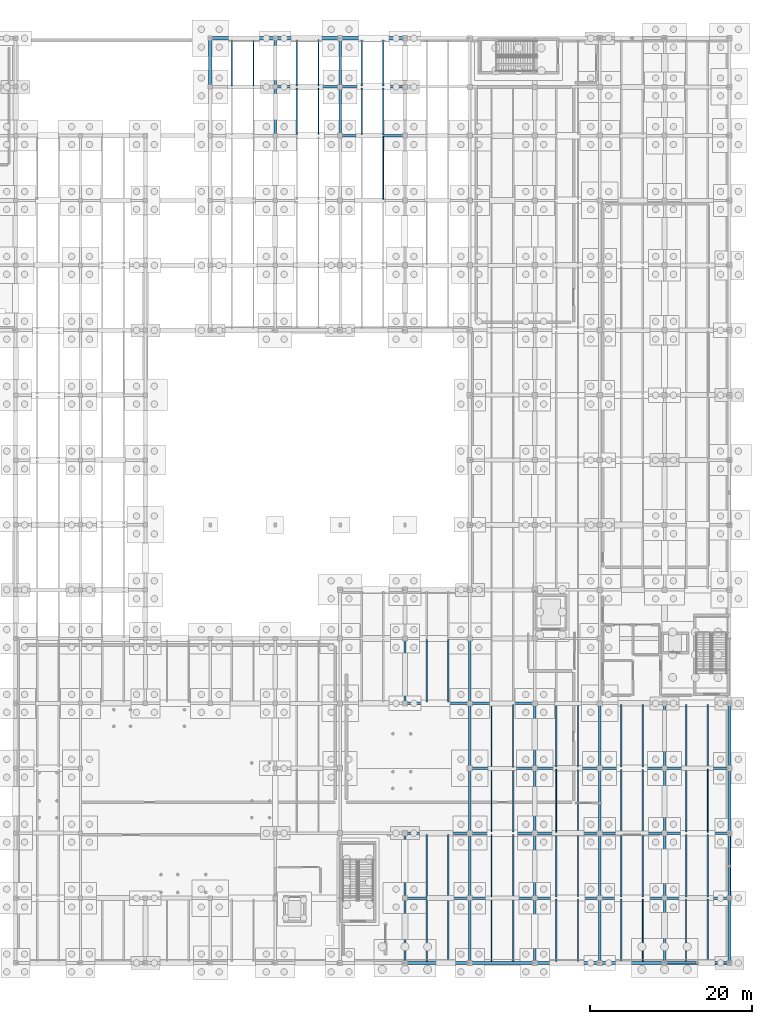
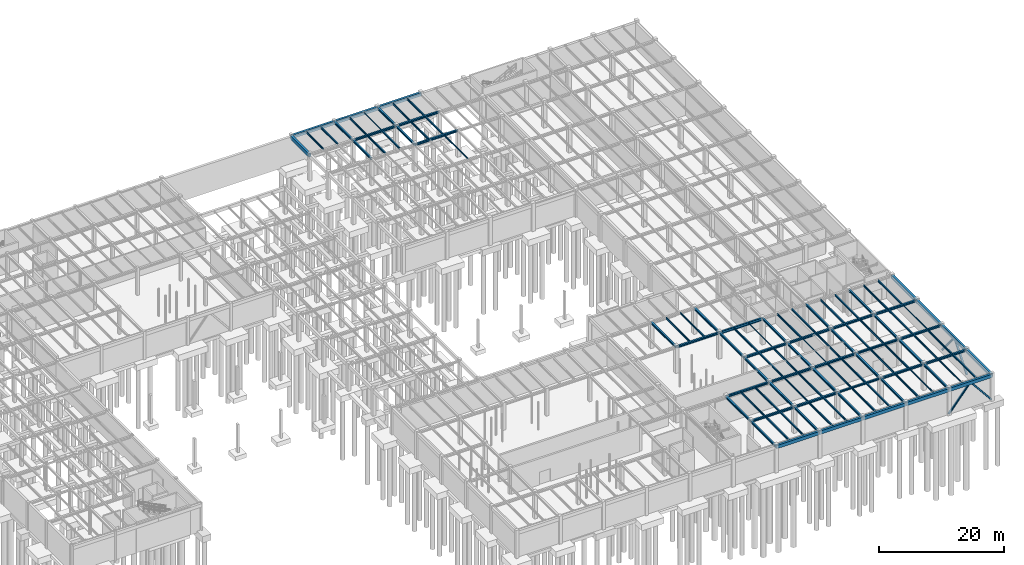
# One storey, part 28 of 71: 105 beams, 4 members.
"""IFC4 building model written with IfcOpenShell, lengths in metres."""

import ifcopenshell
import ifcopenshell.guid

model = None  # the IFC model being written
_history = None  # IfcOwnerHistory: only IFC2X3 demands one
_inside = {}  # id of a spatial element -> (the spatial element, [elements in it])
_under = {}  # id of a project, library or spatial element -> (it, [spatial elements below it])
_declared = {}  # id of a project -> (the project, [libraries it declares])
_typed = {}  # id of a type object -> (the type object, [elements of that type])
_made_of = {}  # id of a material, layer set ... -> (it, [elements and type objects made of it])


def new_model(schema):
    """Start an empty IFC model of exactly this schema.

    Asked for "IFC4X3", IfcOpenShell would pick the latest addendum, in which some entities
    have other attributes; the version numbers below select the first issue.
    IFC2X3 requires an IfcOwnerHistory on every rooted entity: one is made here for all.
    """
    global model, _history
    if schema == "IFC4X3":
        model = ifcopenshell.file(schema_version=(4, 3, 0, 0))
    else:
        model = ifcopenshell.file(schema=schema)
    _inside.clear()
    _under.clear()
    _declared.clear()
    _typed.clear()
    _made_of.clear()
    _history = None
    if model.schema == "IFC2X3":
        org = make("IfcOrganization", Name="unknown")
        user = make(
            "IfcPersonAndOrganization",
            ThePerson=make("IfcPerson", FamilyName="unknown"),
            TheOrganization=org,
        )
        app = make(
            "IfcApplication",
            ApplicationDeveloper=org,
            Version="unknown",
            ApplicationFullName="unknown",
            ApplicationIdentifier="unknown",
        )
        _history = make(
            "IfcOwnerHistory",
            OwningUser=user,
            OwningApplication=app,
            ChangeAction="ADDED",
            CreationDate=0,
        )
    return model


def make(cls, **values):
    """One entity of the class cls with the attributes given. An attribute that is None is left unset."""
    return model.create_entity(
        cls, **{name: value for name, value in values.items() if value is not None}
    )


def rooted(cls, **values):
    """An entity with a GlobalId (a new one), such as an element, a storey or a relation."""
    return make(cls, GlobalId=ifcopenshell.guid.new(), OwnerHistory=_history, **values)


def si_unit(unit_type, name, prefix=None):
    """IfcSIUnit, for example si_unit("LENGTHUNIT", "METRE", prefix="MILLI")."""
    return make("IfcSIUnit", UnitType=unit_type, Prefix=prefix, Name=name)


def assignment(units):
    """IfcUnitAssignment: the units of a project."""
    return None if units is None else make("IfcUnitAssignment", Units=units)


def point(xyz):
    """IfcCartesianPoint."""
    return None if xyz is None else make("IfcCartesianPoint", Coordinates=xyz)


def direction(xyz):
    """IfcDirection."""
    return None if xyz is None else make("IfcDirection", DirectionRatios=xyz)


def frame(location, z_axis=None, x_axis=None):
    """IfcAxis2Placement3D, a coordinate frame: its origin and axes. An axis left out is left unset."""
    return make(
        "IfcAxis2Placement3D",
        Location=point(location),
        Axis=direction(z_axis),
        RefDirection=direction(x_axis),
    )


def frame_2d(location, x_axis=None):
    """IfcAxis2Placement2D, a coordinate frame in the plane: its origin and x axis."""
    return make(
        "IfcAxis2Placement2D", Location=point(location), RefDirection=direction(x_axis)
    )


def origin():
    """The frame at (0, 0, 0) with its axes left unset."""
    return frame((0.0, 0.0, 0.0))


def origin_2d():
    """The frame at (0, 0) in the plane with its x axis left unset."""
    return frame_2d((0.0, 0.0))


def place(relative_to, where):
    """IfcLocalPlacement: puts the frame where relative to a parent placement (None: the world)."""
    return make(
        "IfcLocalPlacement", PlacementRelTo=relative_to, RelativePlacement=where
    )


def context(
    kind, dimensions, precision=None, world=None, true_north=None, identifier=None
):
    """IfcGeometricRepresentationContext, for example the 3D "Model" context."""
    return make(
        "IfcGeometricRepresentationContext",
        ContextIdentifier=identifier,
        ContextType=kind,
        CoordinateSpaceDimension=dimensions,
        Precision=precision,
        WorldCoordinateSystem=world,
        TrueNorth=true_north,
    )


def subcontext(parent, identifier, kind, view, scale=None):
    """IfcGeometricRepresentationSubContext, for example "Body" below "Model"."""
    return make(
        "IfcGeometricRepresentationSubContext",
        ContextIdentifier=identifier,
        ContextType=kind,
        ParentContext=parent,
        TargetScale=scale,
        TargetView=view,
    )


def project(units=None, contexts=None):
    """IfcProject with its units and contexts."""
    return rooted(
        "IfcProject",
        Name="project",
        RepresentationContexts=contexts,
        UnitsInContext=assignment(units),
    )


def spatial(cls, under=None, at=None, **own):
    """A site, building, storey or space (cls), placed at a placement, below another one or the project."""
    s = rooted(cls, ObjectPlacement=at, **own)
    if under is not None:
        _under.setdefault(under.id(), (under, []))[1].append(s)
    return s


def profile(cls, at=None, kind="AREA", **sizes):
    """A parametric profile (cls). Its sizes go by their IFC names, for example OverallWidth=200.0."""
    return make(cls, ProfileType=kind, Position=at, **sizes)


def rectangle(**sizes):
    """IfcRectangleProfileDef."""
    return profile("IfcRectangleProfileDef", **sizes)


def i_section(**sizes):
    """IfcIShapeProfileDef."""
    return profile("IfcIShapeProfileDef", **sizes)


def extrude(swept, where, along, depth):
    """IfcExtrudedAreaSolid: the profile swept, set in the frame where, extruded along a direction by depth."""
    return make(
        "IfcExtrudedAreaSolid",
        SweptArea=swept,
        Position=where,
        ExtrudedDirection=direction(along),
        Depth=depth,
    )


def shape(context_of_items, identifier, shape_type, items):
    """IfcShapeRepresentation: the items that make up one representation, for example the "Body"."""
    return make(
        "IfcShapeRepresentation",
        ContextOfItems=context_of_items,
        RepresentationIdentifier=identifier,
        RepresentationType=shape_type,
        Items=items,
    )


def material(Name=None, Category=None):
    """IfcMaterial."""
    return make("IfcMaterial", Name=Name, Category=Category)


def material_profile(
    of_material, cross_section, Name=None, Category=None, Priority=None
):
    """IfcMaterialProfile: a cross section and its material."""
    return make(
        "IfcMaterialProfile",
        Name=Name,
        Material=of_material,
        Profile=cross_section,
        Priority=Priority,
        Category=Category,
    )


def profile_set(profiles, Name=None, composite=None):
    """IfcMaterialProfileSet."""
    return make(
        "IfcMaterialProfileSet",
        Name=Name,
        MaterialProfiles=profiles,
        CompositeProfile=composite,
    )


def made_of(thing, what):
    """Note that an element or type object is made of a material, layer set ...; save() writes the relation."""
    if what is not None:
        _made_of.setdefault(what.id(), (what, []))[1].append(thing)
    return thing


def type_object(cls, material=None, **own):
    """A type object (cls), such as IfcWallType, which elements share."""
    return made_of(rooted(cls, **own), material)


def element(
    cls,
    number,
    at=None,
    inside=None,
    cuts=None,
    type_object=None,
    material=None,
    context=None,
    identifier="Body",
    shape_type=None,
    held_by="IfcProductDefinitionShape",
    body=None,
    shapes=None,
    **own,
):
    """One element of the class cls, such as IfcWall. Its Tag is "e" and its number.

    at: its placement. inside: the storey or other place that contains it. cuts: it is an
    opening in that element (IfcRelVoidsElement). A single representation is given by context,
    identifier, shape_type and body (its items); several are given by shapes. held_by: the class
    of the entity that holds the representations. save() writes the other relations.
    """
    e = rooted(cls, Tag="e%d" % number, ObjectPlacement=at, **own)
    if body is not None:
        shapes = [shape(context, identifier, shape_type, body)]
    if shapes is not None:
        e.Representation = make(held_by, Representations=shapes)
    if inside is not None:
        _inside.setdefault(inside.id(), (inside, []))[1].append(e)
    if cuts is not None:
        rooted(
            "IfcRelVoidsElement", RelatingBuildingElement=cuts, RelatedOpeningElement=e
        )
    if type_object is not None:
        _typed.setdefault(type_object.id(), (type_object, []))[1].append(e)
    return made_of(e, material)


def aggregate(whole, parts):
    """IfcRelAggregates: a whole, such as a stair, and the parts it consists of."""
    return rooted("IfcRelAggregates", RelatingObject=whole, RelatedObjects=parts)


def save(model, path):
    """Write the relations noted so far, then the file.

    IfcRelAggregates (storeys below a building ...), IfcRelContainedInSpatialStructure (elements
    in a storey), IfcRelDefinesByType, IfcRelAssociatesMaterial and IfcRelDeclares: one each for
    every whole, place, type object, material and project.
    """
    for whole, parts in _under.values():
        aggregate(whole, parts)
    for where, things in _inside.values():
        rooted(
            "IfcRelContainedInSpatialStructure",
            RelatedElements=things,
            RelatingStructure=where,
        )
    for kind, things in _typed.values():
        rooted("IfcRelDefinesByType", RelatedObjects=things, RelatingType=kind)
    for what, things in _made_of.values():
        rooted("IfcRelAssociatesMaterial", RelatedObjects=things, RelatingMaterial=what)
    for by, libraries in _declared.values():
        rooted("IfcRelDeclares", RelatingContext=by, RelatedDefinitions=libraries)
    model.write(path)


model = new_model("IFC4")

# Units and contexts
model_context = context("Model", 3, precision=1e-05, world=origin(), true_north=direction((0.0, 1.0)))
body_context = subcontext(model_context, "Body", "Model", "MODEL_VIEW")
ifc_project = project(units=[si_unit("LENGTHUNIT", "METRE"), si_unit("AREAUNIT", "SQUARE_METRE"), si_unit("VOLUMEUNIT", "CUBIC_METRE"), si_unit("PLANEANGLEUNIT", "RADIAN"), si_unit("MASSUNIT", "GRAM", prefix="KILO")], contexts=[model_context])

# Site, building, storey
site_placement = place(None, origin())
site = spatial("IfcSite", under=ifc_project, at=site_placement, CompositionType="ELEMENT")
building_placement = place(site_placement, origin())
building = spatial("IfcBuilding", under=site, at=building_placement, Name="Sundkrona Museum", CompositionType="ELEMENT")
storey_placement = place(building_placement, frame((0.0, 0.0, -5.39990234375)))
storey = spatial("IfcBuildingStorey", under=building, at=storey_placement, Name="B1", CompositionType="ELEMENT", Elevation=-5.39990234375)

# Beams
ifc_material_1 = material(Name="Steel S355J2", Category="steel")
ifc_material_profile_1 = material_profile(ifc_material_1, i_section(OverallWidth=0.300048828125, OverallDepth=0.300048828125, WebThickness=0.010986328125, FlangeThickness=0.01904296875, FilletRadius=0.027099609375, at=origin_2d()), Name="HEB 300")
ifc_profile_set_1 = profile_set([ifc_material_profile_1], Name="Steel S355J2")
beam_type_1 = type_object("IfcBeamType", Name="B-HEB300", PredefinedType="BEAM", material=ifc_profile_set_1)
beam_1_placement = place(storey_placement, frame((144.0, 8.0, 4.969970703125), z_axis=(1.0, 0.0, 0.0), x_axis=(0.0, 1.0, 0.0)))
element("IfcBeam", 1, at=beam_1_placement, inside=storey, type_object=beam_type_1, Name="B1 Girder X-0018", PredefinedType="BEAM", context=body_context, shape_type="SweptSolid", body=[
    extrude(i_section(OverallWidth=0.300048828125, OverallDepth=0.300048828125, WebThickness=0.010986328125, FlangeThickness=0.01904296875, FilletRadius=0.027099609375, at=origin_2d()), origin(), (0.0, 0.0, 1.0), 8.0),
])
ifc_material_profile_2 = material_profile(ifc_material_1, i_section(OverallWidth=0.300048828125, OverallDepth=0.360107421875, WebThickness=0.012451171875, FlangeThickness=0.0224609375, FilletRadius=0.027099609375, at=origin_2d()), Name="HEB 360")
ifc_profile_set_2 = profile_set([ifc_material_profile_2], Name="Steel S355J2")
beam_type_2 = type_object("IfcBeamType", Name="B-HEB360", PredefinedType="BEAM", material=ifc_profile_set_2)
beam_2_placement = place(storey_placement, frame((152.0, 16.0, 4.93994140625), z_axis=(1.0, 0.0, 0.0), x_axis=(0.0, 1.0, 0.0)))
element("IfcBeam", 2, at=beam_2_placement, inside=storey, type_object=beam_type_2, Name="B1 Girder X-0027", PredefinedType="BEAM", context=body_context, shape_type="SweptSolid", body=[
    extrude(i_section(OverallWidth=0.300048828125, OverallDepth=0.360107421875, WebThickness=0.012451171875, FlangeThickness=0.0224609375, FilletRadius=0.027099609375, at=origin_2d()), origin(), (0.0, 0.0, 1.0), 8.0),
])
ifc_material_profile_3 = material_profile(ifc_material_1, i_section(OverallWidth=0.300048828125, OverallDepth=0.39990234375, WebThickness=0.013427734375, FlangeThickness=0.02392578125, FilletRadius=0.027099609375, at=origin_2d()), Name="HEB 400")
ifc_profile_set_3 = profile_set([ifc_material_profile_3], Name="Steel S355J2")
beam_type_3 = type_object("IfcBeamType", Name="B-HEB400", PredefinedType="BEAM", material=ifc_profile_set_3)
for number, where, z_axis, x_axis, name in (
    (3, (128.0, 8.0, 4.919921875), (1.0, 0.0, 0.0), (0.0, 1.0, 0.0), "B1 Girder X-0016"),
    (4, (136.0, 8.0, 4.919921875), (1.0, 0.0, 0.0), (0.0, 1.0, 0.0), "B1 Girder X-0017"),
    (5, (152.0, 8.0, 4.919921875), (1.0, 0.0, 0.0), (0.0, 1.0, 0.0), "B1 Girder X-0019"),
    (6, (160.0, 8.0, 4.919921875), (1.0, 0.0, 0.0), (0.0, 1.0, 0.0), "B1 Girder X-0020"),
    (7, (128.0, 16.0, 4.919921875), (1.0, 0.0, 0.0), (0.0, 1.0, 0.0), "B1 Girder X-0024"),
    (8, (136.0, 16.0, 4.919921875), (1.0, 0.0, 0.0), (0.0, 1.0, 0.0), "B1 Girder X-0025"),
    (9, (144.0, 16.0, 4.919921875), (1.0, 0.0, 0.0), (0.0, 1.0, 0.0), "B1 Girder X-0026"),
    (10, (160.0, 16.0, 4.919921875), (1.0, 0.0, 0.0), (0.0, 1.0, 0.0), "B1 Girder X-0028"),
    (11, (136.0, 24.0, 4.919921875), (1.0, 0.0, 0.0), (0.0, 1.0, 0.0), "B1 Girder X-0031"),
    (12, (144.0, 24.0, 4.919921875), (1.0, 0.0, 0.0), (0.0, 1.0, 0.0), "B1 Girder X-0032"),
    (13, (152.0, 24.0, 4.919921875), (1.0, 0.0, 0.0), (0.0, 1.0, 0.0), "B1 Girder X-0033"),
    (14, (160.0, 24.0, 4.919921875), (1.0, 0.0, 0.0), (0.0, 1.0, 0.0), "B1 Girder X-0034"),
    (15, (128.0, 32.0, 4.919921875), (1.0, 0.0, 0.0), (0.0, 1.0, 0.0), "B1 Girder X-0044"),
    (16, (120.0, 102.0, 4.919921875), (1.0, 0.0, 0.0), (0.0, 1.0, 0.0), "B1 Girder X-0169"),
    (17, (112.0, 108.0, 4.919921875), (1.0, 0.0, 0.0), (0.0, 1.0, 0.0), "B1 Girder X-0186"),
    (18, (120.0, 108.0, 4.919921875), (1.0, 0.0, 0.0), (0.0, 1.0, 0.0), "B1 Girder X-0187"),
):
    element("IfcBeam", number, at=place(storey_placement, frame(where, z_axis=z_axis, x_axis=x_axis)), inside=storey, type_object=beam_type_3, Name=name, PredefinedType="BEAM", context=body_context, shape_type="SweptSolid", body=[
        extrude(i_section(OverallWidth=0.300048828125, OverallDepth=0.39990234375, WebThickness=0.013427734375, FlangeThickness=0.02392578125, FilletRadius=0.027099609375, at=origin_2d()), origin(), (0.0, 0.0, 1.0), 8.0),
    ])
for number, where, z_axis, x_axis, name in (
    (19, (112.0, 102.0, 4.919921875), (0.0, 1.0, 0.0), (-1.0, 0.0, 0.0), "B1 Girder Y-0329"),
    (20, (112.0, 108.0, 4.919921875), (0.0, 1.0, 0.0), (-1.0, 0.0, 0.0), "B1 Girder Y-0330"),
    (21, (120.0, 102.0, 4.919921875), (0.0, 1.0, 0.0), (-1.0, 0.0, 0.0), "B1 Girder Y-0340"),
    (22, (120.0, 108.0, 4.919921875), (0.0, 1.0, 0.0), (-1.0, 0.0, 0.0), "B1 Girder Y-0341"),
):
    element("IfcBeam", number, at=place(storey_placement, frame(where, z_axis=z_axis, x_axis=x_axis)), inside=storey, type_object=beam_type_3, Name=name, PredefinedType="BEAM", context=body_context, shape_type="SweptSolid", body=[
        extrude(i_section(OverallWidth=0.300048828125, OverallDepth=0.39990234375, WebThickness=0.013427734375, FlangeThickness=0.02392578125, FilletRadius=0.027099609375, at=origin_2d()), origin(), (0.0, 0.0, 1.0), 6.0),
    ])
for number, where, z_axis, x_axis, name in (
    (23, (128.0, 0.0, 4.919921875), (0.0, 1.0, 0.0), (-1.0, 0.0, 0.0), "B1 Girder Y-0342"),
    (24, (128.0, 8.0, 4.919921875), (0.0, 1.0, 0.0), (-1.0, 0.0, 0.0), "B1 Girder Y-0343"),
    (25, (128.0, 32.0, 4.919921875), (0.0, 1.0, 0.0), (-1.0, 0.0, 0.0), "B1 Girder Y-0344"),
    (26, (136.0, 0.0, 4.919921875), (0.0, 1.0, 0.0), (-1.0, 0.0, 0.0), "B1 Girder Y-0351"),
    (27, (136.0, 8.0, 4.919921875), (0.0, 1.0, 0.0), (-1.0, 0.0, 0.0), "B1 Girder Y-0352"),
    (28, (136.0, 16.0, 4.919921875), (0.0, 1.0, 0.0), (-1.0, 0.0, 0.0), "B1 Girder Y-0353"),
    (29, (136.0, 24.0, 4.919921875), (0.0, 1.0, 0.0), (-1.0, 0.0, 0.0), "B1 Girder Y-0354"),
    (30, (136.0, 32.0, 4.919921875), (0.0, 1.0, 0.0), (-1.0, 0.0, 0.0), "B1 Girder Y-0355"),
    (31, (144.0, 0.0, 4.919921875), (0.0, 1.0, 0.0), (-1.0, 0.0, 0.0), "B1 Girder Y-0366"),
    (32, (144.0, 8.0, 4.919921875), (0.0, 1.0, 0.0), (-1.0, 0.0, 0.0), "B1 Girder Y-0367"),
    (33, (144.0, 16.0, 4.919921875), (0.0, 1.0, 0.0), (-1.0, 0.0, 0.0), "B1 Girder Y-0368"),
    (34, (144.0, 24.0, 4.919921875), (0.0, 1.0, 0.0), (-1.0, 0.0, 0.0), "B1 Girder Y-0369"),
    (35, (152.0, 0.0, 4.919921875), (0.0, 1.0, 0.0), (-1.0, 0.0, 0.0), "B1 Girder Y-0380"),
    (36, (152.0, 8.0, 4.919921875), (0.0, 1.0, 0.0), (-1.0, 0.0, 0.0), "B1 Girder Y-0381"),
    (37, (152.0, 16.0, 4.919921875), (0.0, 1.0, 0.0), (-1.0, 0.0, 0.0), "B1 Girder Y-0382"),
    (38, (152.0, 24.0, 4.919921875), (0.0, 1.0, 0.0), (-1.0, 0.0, 0.0), "B1 Girder Y-0383"),
    (39, (160.0, 0.0, 4.919921875), (0.0, 1.0, 0.0), (-1.0, 0.0, 0.0), "B1 Girder Y-0395"),
    (40, (160.0, 8.0, 4.919921875), (0.0, 1.0, 0.0), (-1.0, 0.0, 0.0), "B1 Girder Y-0396"),
    (41, (160.0, 16.0, 4.919921875), (0.0, 1.0, 0.0), (-1.0, 0.0, 0.0), "B1 Girder Y-0397"),
    (42, (160.0, 24.0, 4.919921875), (0.0, 1.0, 0.0), (-1.0, 0.0, 0.0), "B1 Girder Y-0398"),
):
    element("IfcBeam", number, at=place(storey_placement, frame(where, z_axis=z_axis, x_axis=x_axis)), inside=storey, type_object=beam_type_3, Name=name, PredefinedType="BEAM", context=body_context, shape_type="SweptSolid", body=[
        extrude(i_section(OverallWidth=0.300048828125, OverallDepth=0.39990234375, WebThickness=0.013427734375, FlangeThickness=0.02392578125, FilletRadius=0.027099609375, at=origin_2d()), origin(), (0.0, 0.0, 1.0), 8.0),
    ])
ifc_material_profile_4 = material_profile(ifc_material_1, i_section(OverallWidth=0.300048828125, OverallDepth=0.5, WebThickness=0.014404296875, FlangeThickness=0.028076171875, FilletRadius=0.027099609375, at=origin_2d()), Name="HEB 500")
ifc_profile_set_4 = profile_set([ifc_material_profile_4], Name="Steel S355J2")
beam_type_4 = type_object("IfcBeamType", Name="B-HEB500", PredefinedType="BEAM", material=ifc_profile_set_4)
beam_3_placement = place(storey_placement, frame((136.0, 32.0, 4.869873046875), z_axis=(1.0, 0.0, 0.0), x_axis=(0.0, 1.0, 0.0)))
element("IfcBeam", 43, at=beam_3_placement, inside=storey, type_object=beam_type_4, Name="B1 Girder X-0045", PredefinedType="BEAM", context=body_context, shape_type="SweptSolid", body=[
    extrude(i_section(OverallWidth=0.300048828125, OverallDepth=0.5, WebThickness=0.014404296875, FlangeThickness=0.028076171875, FilletRadius=0.027099609375, at=origin_2d()), origin(), (0.0, 0.0, 1.0), 8.0),
])
ifc_material_2 = material(Name="Concrete C40/50", Category="concrete")
ifc_material_profile_5 = material_profile(ifc_material_2, rectangle(XDim=0.39990234375, YDim=0.64990234375, at=origin_2d()), Name="RCB 400x650")
ifc_profile_set_5 = profile_set([ifc_material_profile_5], Name="Concrete C40/50")
beam_type_5 = type_object("IfcBeamType", Name="B-RC400", PredefinedType="BEAM", material=ifc_profile_set_5)
for number, where, z_axis, x_axis, name in (
    (44, (128.0, 0.0, 4.794921875), (1.0, 0.0, 0.0), (0.0, 1.0, 0.0), "B1 Girder X-0007"),
    (45, (136.0, 0.0, 4.794921875), (1.0, 0.0, 0.0), (0.0, 1.0, 0.0), "B1 Girder X-0008"),
    (46, (144.0, 0.0, 4.794921875), (1.0, 0.0, 0.0), (0.0, 1.0, 0.0), "B1 Girder X-0009"),
    (47, (152.0, 0.0, 4.794921875), (1.0, 0.0, 0.0), (0.0, 1.0, 0.0), "B1 Girder X-0010"),
    (48, (160.0, 0.0, 4.794921875), (1.0, 0.0, 0.0), (0.0, 1.0, 0.0), "B1 Girder X-0011"),
    (49, (104.0, 114.0, 4.794921875), (1.0, 0.0, 0.0), (0.0, 1.0, 0.0), "B1 Girder X-0203"),
    (50, (112.0, 114.0, 4.794921875), (1.0, 0.0, 0.0), (0.0, 1.0, 0.0), "B1 Girder X-0204"),
    (51, (120.0, 114.0, 4.794921875), (1.0, 0.0, 0.0), (0.0, 1.0, 0.0), "B1 Girder X-0205"),
):
    element("IfcBeam", number, at=place(storey_placement, frame(where, z_axis=z_axis, x_axis=x_axis)), inside=storey, type_object=beam_type_5, Name=name, PredefinedType="BEAM", context=body_context, shape_type="SweptSolid", body=[
        extrude(rectangle(XDim=0.39990234375, YDim=0.64990234375, at=origin_2d()), origin(), (0.0, 0.0, 1.0), 8.0),
    ])
beam_4_placement = place(storey_placement, frame((104.0, 108.0, 4.794921875), z_axis=(0.0, 1.0, 0.0), x_axis=(-1.0, 0.0, 0.0)))
element("IfcBeam", 52, at=beam_4_placement, inside=storey, type_object=beam_type_5, Name="B1 Girder Y-0320", PredefinedType="BEAM", context=body_context, shape_type="SweptSolid", body=[
    extrude(rectangle(XDim=0.39990234375, YDim=0.64990234375, at=origin_2d()), origin(), (0.0, 0.0, 1.0), 6.0),
])
for number, where, z_axis, x_axis, name in (
    (53, (168.0, 0.0, 4.794921875), (0.0, 1.0, 0.0), (-1.0, 0.0, 0.0), "B1 Girder Y-0408"),
    (54, (168.0, 8.0, 4.794921875), (0.0, 1.0, 0.0), (-1.0, 0.0, 0.0), "B1 Girder Y-0409"),
    (55, (168.0, 16.0, 4.794921875), (0.0, 1.0, 0.0), (-1.0, 0.0, 0.0), "B1 Girder Y-0410"),
    (56, (168.0, 24.0, 4.794921875), (0.0, 1.0, 0.0), (-1.0, 0.0, 0.0), "B1 Girder Y-0411"),
):
    element("IfcBeam", number, at=place(storey_placement, frame(where, z_axis=z_axis, x_axis=x_axis)), inside=storey, type_object=beam_type_5, Name=name, PredefinedType="BEAM", context=body_context, shape_type="SweptSolid", body=[
        extrude(rectangle(XDim=0.39990234375, YDim=0.64990234375, at=origin_2d()), origin(), (0.0, 0.0, 1.0), 8.0),
    ])

# Members
ifc_material_profile_6 = material_profile(ifc_material_1, i_section(OverallWidth=0.300048828125, OverallDepth=0.2900390625, WebThickness=0.008544921875, FlangeThickness=0.013916015625, FilletRadius=0.027099609375, at=origin_2d()), Name="HEA 300")
ifc_profile_set_6 = profile_set([ifc_material_profile_6], Name="Steel S355J2")
member_type = type_object("IfcMemberType", Name="BR-HEA300", PredefinedType="BRACE", material=ifc_profile_set_6)
for number, where, z_axis, x_axis, name in (
    (57, (160.0, 0.0, 0.0), (0.632384053133, 0.0, 0.774655026024), (0.0, 1.0, 0.0), "CBR-1 B1 Concentric Chevron Brace 001A"),
    (58, (168.0, 0.0, 0.0), (-0.632384053133, 0.0, 0.774655026024), (0.0, -1.0, 0.0), "CBR-1 B1 Concentric Chevron Brace 001B"),
    (59, (168.0, 8.0, 0.0), (0.0, 0.632384053133, 0.774655026024), (-1.0, 0.0, 0.0), "CBR-1 B1 Concentric Chevron Brace 007A"),
    (60, (168.0, 16.0, 0.0), (0.0, -0.632384053133, 0.774655026024), (1.0, 0.0, 0.0), "CBR-1 B1 Concentric Chevron Brace 007B"),
):
    element("IfcMember", number, at=place(storey_placement, frame(where, z_axis=z_axis, x_axis=x_axis)), inside=storey, type_object=member_type, Name=name, PredefinedType="BRACE", context=body_context, shape_type="SweptSolid", body=[
        extrude(i_section(OverallWidth=0.300048828125, OverallDepth=0.2900390625, WebThickness=0.008544921875, FlangeThickness=0.013916015625, FilletRadius=0.027099609375, at=origin_2d()), origin(), (0.0, 0.0, 1.0), 6.3251953125),
    ])

# Beams
ifc_material_profile_7 = material_profile(ifc_material_1, i_section(OverallWidth=0.091064453125, OverallDepth=0.179931640625, WebThickness=0.00537109375, FlangeThickness=0.008056640625, FilletRadius=0.009033203125, at=origin_2d()), Name="IPE 180")
ifc_profile_set_7 = profile_set([ifc_material_profile_7], Name="Steel S355J2")
beam_type_6 = type_object("IfcBeamType", Name="J-IPE180", PredefinedType="JOIST", material=ifc_profile_set_7)
beam_5_placement = place(storey_placement, frame((117.333251953125, 108.14404296875, 5.02978515625), z_axis=(0.0, 1.0, 0.0), x_axis=(-1.0, 0.0, 0.0)))
element("IfcBeam", 61, at=beam_5_placement, inside=storey, type_object=beam_type_6, Name="B1 Composite Joist 0175", PredefinedType="JOIST", context=body_context, shape_type="SweptSolid", body=[
    extrude(i_section(OverallWidth=0.091064453125, OverallDepth=0.179931640625, WebThickness=0.00537109375, FlangeThickness=0.008056640625, FilletRadius=0.009033203125, at=origin_2d()), origin(), (0.0, 0.0, 1.0), 5.661865234375),
])
for number, where, z_axis, x_axis, name in (
    (62, (141.333251953125, 24.14404296875, 5.02978515625), (0.0, 1.0, 0.0), (-1.0, 0.0, 0.0), "B1 Composite Joist 0215"),
    (63, (165.333251953125, 16.14404296875, 5.02978515625), (0.0, 1.0, 0.0), (-1.0, 0.0, 0.0), "B1 Composite Joist 0295"),
):
    element("IfcBeam", number, at=place(storey_placement, frame(where, z_axis=z_axis, x_axis=x_axis)), inside=storey, type_object=beam_type_6, Name=name, PredefinedType="JOIST", context=body_context, shape_type="SweptSolid", body=[
        extrude(i_section(OverallWidth=0.091064453125, OverallDepth=0.179931640625, WebThickness=0.00537109375, FlangeThickness=0.008056640625, FilletRadius=0.009033203125, at=origin_2d()), origin(), (0.0, 0.0, 1.0), 7.7119140625),
    ])
ifc_material_profile_8 = material_profile(ifc_material_1, i_section(OverallWidth=0.10009765625, OverallDepth=0.199951171875, WebThickness=0.005615234375, FlangeThickness=0.008544921875, FilletRadius=0.011962890625, at=origin_2d()), Name="IPE 200")
ifc_profile_set_8 = profile_set([ifc_material_profile_8], Name="Steel S355J2")
beam_type_7 = type_object("IfcBeamType", Name="J-IPE200", PredefinedType="JOIST", material=ifc_profile_set_8)
beam_6_placement = place(storey_placement, frame((146.666748046875, 16.14404296875, 5.02001953125), z_axis=(0.0, 1.0, 0.0), x_axis=(-1.0, 0.0, 0.0)))
element("IfcBeam", 64, at=beam_6_placement, inside=storey, type_object=beam_type_7, Name="B1 Composite Joist 0240", PredefinedType="JOIST", context=body_context, shape_type="SweptSolid", body=[
    extrude(i_section(OverallWidth=0.10009765625, OverallDepth=0.199951171875, WebThickness=0.005615234375, FlangeThickness=0.008544921875, FilletRadius=0.011962890625, at=origin_2d()), origin(), (0.0, 0.0, 1.0), 7.7119140625),
])
ifc_material_profile_9 = material_profile(ifc_material_1, i_section(OverallWidth=0.1201171875, OverallDepth=0.239990234375, WebThickness=0.006103515625, FlangeThickness=0.009765625, FilletRadius=0.014892578125, at=origin_2d()), Name="IPE 240")
ifc_profile_set_9 = profile_set([ifc_material_profile_9], Name="Steel S355J2")
beam_type_8 = type_object("IfcBeamType", Name="J-IPE240", PredefinedType="JOIST", material=ifc_profile_set_9)
beam_7_placement = place(storey_placement, frame((125.333251953125, 94.14404296875, 5.0), z_axis=(0.0, 1.0, 0.0), x_axis=(-1.0, 0.0, 0.0)))
element("IfcBeam", 65, at=beam_7_placement, inside=storey, type_object=beam_type_8, Name="B1 Composite Joist 0185", PredefinedType="JOIST", context=body_context, shape_type="SweptSolid", body=[
    extrude(i_section(OverallWidth=0.1201171875, OverallDepth=0.239990234375, WebThickness=0.006103515625, FlangeThickness=0.009765625, FilletRadius=0.014892578125, at=origin_2d()), origin(), (0.0, 0.0, 1.0), 7.7119140625),
])
beam_8_placement = place(storey_placement, frame((157.333251953125, 0.194091796875, 5.0), z_axis=(0.0, 1.0, 0.0), x_axis=(-1.0, 0.0, 0.0)))
element("IfcBeam", 66, at=beam_8_placement, inside=storey, type_object=beam_type_8, Name="B1 Composite Joist 0265", PredefinedType="JOIST", context=body_context, shape_type="SweptSolid", body=[
    extrude(i_section(OverallWidth=0.1201171875, OverallDepth=0.239990234375, WebThickness=0.006103515625, FlangeThickness=0.009765625, FilletRadius=0.014892578125, at=origin_2d()), origin(), (0.0, 0.0, 1.0), 7.661865234375),
])
ifc_material_profile_10 = material_profile(ifc_material_1, i_section(OverallWidth=0.135009765625, OverallDepth=0.27001953125, WebThickness=0.006591796875, FlangeThickness=0.01025390625, FilletRadius=0.014892578125, at=origin_2d()), Name="IPE 270")
ifc_profile_set_10 = profile_set([ifc_material_profile_10], Name="Steel S355J2")
beam_type_9 = type_object("IfcBeamType", Name="J-IPE270", PredefinedType="JOIST", material=ifc_profile_set_10)
beam_9_placement = place(storey_placement, frame((138.666748046875, 8.14404296875, 4.98486328125), z_axis=(0.0, 1.0, 0.0), x_axis=(-1.0, 0.0, 0.0)))
element("IfcBeam", 67, at=beam_9_placement, inside=storey, type_object=beam_type_9, Name="B1 Composite Joist 0210", PredefinedType="JOIST", context=body_context, shape_type="SweptSolid", body=[
    extrude(i_section(OverallWidth=0.135009765625, OverallDepth=0.27001953125, WebThickness=0.006591796875, FlangeThickness=0.01025390625, FilletRadius=0.014892578125, at=origin_2d()), origin(), (0.0, 0.0, 1.0), 7.7119140625),
])
beam_10_placement = place(storey_placement, frame((162.666748046875, 0.194091796875, 4.98486328125), z_axis=(0.0, 1.0, 0.0), x_axis=(-1.0, 0.0, 0.0)))
element("IfcBeam", 68, at=beam_10_placement, inside=storey, type_object=beam_type_9, Name="B1 Composite Joist 0290", PredefinedType="JOIST", context=body_context, shape_type="SweptSolid", body=[
    extrude(i_section(OverallWidth=0.135009765625, OverallDepth=0.27001953125, WebThickness=0.006591796875, FlangeThickness=0.01025390625, FilletRadius=0.014892578125, at=origin_2d()), origin(), (0.0, 0.0, 1.0), 7.661865234375),
])
ifc_material_profile_11 = material_profile(ifc_material_1, i_section(OverallWidth=0.14990234375, OverallDepth=0.300048828125, WebThickness=0.007080078125, FlangeThickness=0.0107421875, FilletRadius=0.014892578125, at=origin_2d()), Name="IPE 300")
ifc_profile_set_11 = profile_set([ifc_material_profile_11], Name="Steel S355J2")
beam_type_10 = type_object("IfcBeamType", Name="J-IPE300", PredefinedType="JOIST", material=ifc_profile_set_11)
beam_11_placement = place(storey_placement, frame((133.333251953125, 32.14404296875, 4.969970703125), z_axis=(0.0, 1.0, 0.0), x_axis=(-1.0, 0.0, 0.0)))
element("IfcBeam", 69, at=beam_11_placement, inside=storey, type_object=beam_type_10, Name="B1 Composite Joist 0195", PredefinedType="JOIST", context=body_context, shape_type="SweptSolid", body=[
    extrude(i_section(OverallWidth=0.14990234375, OverallDepth=0.300048828125, WebThickness=0.007080078125, FlangeThickness=0.0107421875, FilletRadius=0.014892578125, at=origin_2d()), origin(), (0.0, 0.0, 1.0), 7.7119140625),
])
ifc_material_profile_12 = material_profile(ifc_material_1, i_section(OverallWidth=0.169921875, OverallDepth=0.360107421875, WebThickness=0.008056640625, FlangeThickness=0.0126953125, FilletRadius=0.01806640625, at=origin_2d()), Name="IPE 360")
ifc_profile_set_12 = profile_set([ifc_material_profile_12], Name="Steel S355J2")
beam_type_11 = type_object("IfcBeamType", Name="J-IPE360", PredefinedType="JOIST", material=ifc_profile_set_12)
for number, where, z_axis, x_axis, name in (
    (70, (106.666748046875, 108.14404296875, 4.93994140625), (0.0, 1.0, 0.0), (-1.0, 0.0, 0.0), "B1 Composite Joist 0158"),
    (71, (109.333251953125, 108.14404296875, 4.93994140625), (0.0, 1.0, 0.0), (-1.0, 0.0, 0.0), "B1 Composite Joist 0159"),
):
    element("IfcBeam", number, at=place(storey_placement, frame(where, z_axis=z_axis, x_axis=x_axis)), inside=storey, type_object=beam_type_11, Name=name, PredefinedType="JOIST", context=body_context, shape_type="SweptSolid", body=[
        extrude(i_section(OverallWidth=0.169921875, OverallDepth=0.360107421875, WebThickness=0.008056640625, FlangeThickness=0.0126953125, FilletRadius=0.01806640625, at=origin_2d()), origin(), (0.0, 0.0, 1.0), 5.661865234375),
    ])
for number, where, z_axis, x_axis, name in (
    (72, (114.666748046875, 102.14404296875, 4.93994140625), (0.0, 1.0, 0.0), (-1.0, 0.0, 0.0), "B1 Composite Joist 0172"),
    (73, (117.333251953125, 102.14404296875, 4.93994140625), (0.0, 1.0, 0.0), (-1.0, 0.0, 0.0), "B1 Composite Joist 0173"),
):
    element("IfcBeam", number, at=place(storey_placement, frame(where, z_axis=z_axis, x_axis=x_axis)), inside=storey, type_object=beam_type_11, Name=name, PredefinedType="JOIST", context=body_context, shape_type="SweptSolid", body=[
        extrude(i_section(OverallWidth=0.169921875, OverallDepth=0.360107421875, WebThickness=0.008056640625, FlangeThickness=0.0126953125, FilletRadius=0.01806640625, at=origin_2d()), origin(), (0.0, 0.0, 1.0), 5.7119140625),
    ])
beam_12_placement = place(storey_placement, frame((114.666748046875, 108.14404296875, 4.93994140625), z_axis=(0.0, 1.0, 0.0), x_axis=(-1.0, 0.0, 0.0)))
element("IfcBeam", 74, at=beam_12_placement, inside=storey, type_object=beam_type_11, Name="B1 Composite Joist 0174", PredefinedType="JOIST", context=body_context, shape_type="SweptSolid", body=[
    extrude(i_section(OverallWidth=0.169921875, OverallDepth=0.360107421875, WebThickness=0.008056640625, FlangeThickness=0.0126953125, FilletRadius=0.01806640625, at=origin_2d()), origin(), (0.0, 0.0, 1.0), 5.661865234375),
])
for number, where, z_axis, x_axis, name in (
    (75, (122.666748046875, 102.14404296875, 4.93994140625), (0.0, 1.0, 0.0), (-1.0, 0.0, 0.0), "B1 Composite Joist 0186"),
    (76, (125.333251953125, 102.14404296875, 4.93994140625), (0.0, 1.0, 0.0), (-1.0, 0.0, 0.0), "B1 Composite Joist 0187"),
):
    element("IfcBeam", number, at=place(storey_placement, frame(where, z_axis=z_axis, x_axis=x_axis)), inside=storey, type_object=beam_type_11, Name=name, PredefinedType="JOIST", context=body_context, shape_type="SweptSolid", body=[
        extrude(i_section(OverallWidth=0.169921875, OverallDepth=0.360107421875, WebThickness=0.008056640625, FlangeThickness=0.0126953125, FilletRadius=0.01806640625, at=origin_2d()), origin(), (0.0, 0.0, 1.0), 5.7119140625),
    ])
for number, where, z_axis, x_axis, name in (
    (77, (122.666748046875, 108.14404296875, 4.93994140625), (0.0, 1.0, 0.0), (-1.0, 0.0, 0.0), "B1 Composite Joist 0188"),
    (78, (125.333251953125, 108.14404296875, 4.93994140625), (0.0, 1.0, 0.0), (-1.0, 0.0, 0.0), "B1 Composite Joist 0189"),
):
    element("IfcBeam", number, at=place(storey_placement, frame(where, z_axis=z_axis, x_axis=x_axis)), inside=storey, type_object=beam_type_11, Name=name, PredefinedType="JOIST", context=body_context, shape_type="SweptSolid", body=[
        extrude(i_section(OverallWidth=0.169921875, OverallDepth=0.360107421875, WebThickness=0.008056640625, FlangeThickness=0.0126953125, FilletRadius=0.01806640625, at=origin_2d()), origin(), (0.0, 0.0, 1.0), 5.661865234375),
    ])
beam_13_placement = place(storey_placement, frame((133.333251953125, 0.194091796875, 4.93994140625), z_axis=(0.0, 1.0, 0.0), x_axis=(-1.0, 0.0, 0.0)))
element("IfcBeam", 79, at=beam_13_placement, inside=storey, type_object=beam_type_11, Name="B1 Composite Joist 0191", PredefinedType="JOIST", context=body_context, shape_type="SweptSolid", body=[
    extrude(i_section(OverallWidth=0.169921875, OverallDepth=0.360107421875, WebThickness=0.008056640625, FlangeThickness=0.0126953125, FilletRadius=0.01806640625, at=origin_2d()), origin(), (0.0, 0.0, 1.0), 7.661865234375),
])
for number, where, z_axis, x_axis, name in (
    (80, (130.666748046875, 8.14404296875, 4.93994140625), (0.0, 1.0, 0.0), (-1.0, 0.0, 0.0), "B1 Composite Joist 0192"),
    (81, (133.333251953125, 8.14404296875, 4.93994140625), (0.0, 1.0, 0.0), (-1.0, 0.0, 0.0), "B1 Composite Joist 0193"),
    (82, (130.666748046875, 32.14404296875, 4.93994140625), (0.0, 1.0, 0.0), (-1.0, 0.0, 0.0), "B1 Composite Joist 0194"),
):
    element("IfcBeam", number, at=place(storey_placement, frame(where, z_axis=z_axis, x_axis=x_axis)), inside=storey, type_object=beam_type_11, Name=name, PredefinedType="JOIST", context=body_context, shape_type="SweptSolid", body=[
        extrude(i_section(OverallWidth=0.169921875, OverallDepth=0.360107421875, WebThickness=0.008056640625, FlangeThickness=0.0126953125, FilletRadius=0.01806640625, at=origin_2d()), origin(), (0.0, 0.0, 1.0), 7.7119140625),
    ])
for number, where, z_axis, x_axis, name in (
    (83, (138.666748046875, 0.194091796875, 4.93994140625), (0.0, 1.0, 0.0), (-1.0, 0.0, 0.0), "B1 Composite Joist 0208"),
    (84, (141.333251953125, 0.194091796875, 4.93994140625), (0.0, 1.0, 0.0), (-1.0, 0.0, 0.0), "B1 Composite Joist 0209"),
):
    element("IfcBeam", number, at=place(storey_placement, frame(where, z_axis=z_axis, x_axis=x_axis)), inside=storey, type_object=beam_type_11, Name=name, PredefinedType="JOIST", context=body_context, shape_type="SweptSolid", body=[
        extrude(i_section(OverallWidth=0.169921875, OverallDepth=0.360107421875, WebThickness=0.008056640625, FlangeThickness=0.0126953125, FilletRadius=0.01806640625, at=origin_2d()), origin(), (0.0, 0.0, 1.0), 7.661865234375),
    ])
for number, where, z_axis, x_axis, name in (
    (85, (141.333251953125, 8.14404296875, 4.93994140625), (0.0, 1.0, 0.0), (-1.0, 0.0, 0.0), "B1 Composite Joist 0211"),
    (86, (138.666748046875, 16.14404296875, 4.93994140625), (0.0, 1.0, 0.0), (-1.0, 0.0, 0.0), "B1 Composite Joist 0212"),
    (87, (141.333251953125, 16.14404296875, 4.93994140625), (0.0, 1.0, 0.0), (-1.0, 0.0, 0.0), "B1 Composite Joist 0213"),
    (88, (138.666748046875, 24.14404296875, 4.93994140625), (0.0, 1.0, 0.0), (-1.0, 0.0, 0.0), "B1 Composite Joist 0214"),
):
    element("IfcBeam", number, at=place(storey_placement, frame(where, z_axis=z_axis, x_axis=x_axis)), inside=storey, type_object=beam_type_11, Name=name, PredefinedType="JOIST", context=body_context, shape_type="SweptSolid", body=[
        extrude(i_section(OverallWidth=0.169921875, OverallDepth=0.360107421875, WebThickness=0.008056640625, FlangeThickness=0.0126953125, FilletRadius=0.01806640625, at=origin_2d()), origin(), (0.0, 0.0, 1.0), 7.7119140625),
    ])
for number, where, z_axis, x_axis, name in (
    (89, (146.666748046875, 0.194091796875, 4.93994140625), (0.0, 1.0, 0.0), (-1.0, 0.0, 0.0), "B1 Composite Joist 0236"),
    (90, (149.333251953125, 0.194091796875, 4.93994140625), (0.0, 1.0, 0.0), (-1.0, 0.0, 0.0), "B1 Composite Joist 0237"),
):
    element("IfcBeam", number, at=place(storey_placement, frame(where, z_axis=z_axis, x_axis=x_axis)), inside=storey, type_object=beam_type_11, Name=name, PredefinedType="JOIST", context=body_context, shape_type="SweptSolid", body=[
        extrude(i_section(OverallWidth=0.169921875, OverallDepth=0.360107421875, WebThickness=0.008056640625, FlangeThickness=0.0126953125, FilletRadius=0.01806640625, at=origin_2d()), origin(), (0.0, 0.0, 1.0), 7.661865234375),
    ])
for number, where, z_axis, x_axis, name in (
    (91, (146.666748046875, 8.14404296875, 4.93994140625), (0.0, 1.0, 0.0), (-1.0, 0.0, 0.0), "B1 Composite Joist 0238"),
    (92, (149.333251953125, 8.14404296875, 4.93994140625), (0.0, 1.0, 0.0), (-1.0, 0.0, 0.0), "B1 Composite Joist 0239"),
    (93, (149.333251953125, 16.14404296875, 4.93994140625), (0.0, 1.0, 0.0), (-1.0, 0.0, 0.0), "B1 Composite Joist 0241"),
    (94, (146.666748046875, 24.14404296875, 4.93994140625), (0.0, 1.0, 0.0), (-1.0, 0.0, 0.0), "B1 Composite Joist 0242"),
    (95, (149.333251953125, 24.14404296875, 4.93994140625), (0.0, 1.0, 0.0), (-1.0, 0.0, 0.0), "B1 Composite Joist 0243"),
):
    element("IfcBeam", number, at=place(storey_placement, frame(where, z_axis=z_axis, x_axis=x_axis)), inside=storey, type_object=beam_type_11, Name=name, PredefinedType="JOIST", context=body_context, shape_type="SweptSolid", body=[
        extrude(i_section(OverallWidth=0.169921875, OverallDepth=0.360107421875, WebThickness=0.008056640625, FlangeThickness=0.0126953125, FilletRadius=0.01806640625, at=origin_2d()), origin(), (0.0, 0.0, 1.0), 7.7119140625),
    ])
beam_14_placement = place(storey_placement, frame((154.666748046875, 0.194091796875, 4.93994140625), z_axis=(0.0, 1.0, 0.0), x_axis=(-1.0, 0.0, 0.0)))
element("IfcBeam", 96, at=beam_14_placement, inside=storey, type_object=beam_type_11, Name="B1 Composite Joist 0264", PredefinedType="JOIST", context=body_context, shape_type="SweptSolid", body=[
    extrude(i_section(OverallWidth=0.169921875, OverallDepth=0.360107421875, WebThickness=0.008056640625, FlangeThickness=0.0126953125, FilletRadius=0.01806640625, at=origin_2d()), origin(), (0.0, 0.0, 1.0), 7.661865234375),
])
for number, where, z_axis, x_axis, name in (
    (97, (154.666748046875, 8.14404296875, 4.93994140625), (0.0, 1.0, 0.0), (-1.0, 0.0, 0.0), "B1 Composite Joist 0266"),
    (98, (157.333251953125, 8.14404296875, 4.93994140625), (0.0, 1.0, 0.0), (-1.0, 0.0, 0.0), "B1 Composite Joist 0267"),
    (99, (154.666748046875, 16.14404296875, 4.93994140625), (0.0, 1.0, 0.0), (-1.0, 0.0, 0.0), "B1 Composite Joist 0268"),
    (100, (157.333251953125, 16.14404296875, 4.93994140625), (0.0, 1.0, 0.0), (-1.0, 0.0, 0.0), "B1 Composite Joist 0269"),
    (101, (157.333251953125, 24.14404296875, 4.93994140625), (0.0, 1.0, 0.0), (-1.0, 0.0, 0.0), "B1 Composite Joist 0271"),
):
    element("IfcBeam", number, at=place(storey_placement, frame(where, z_axis=z_axis, x_axis=x_axis)), inside=storey, type_object=beam_type_11, Name=name, PredefinedType="JOIST", context=body_context, shape_type="SweptSolid", body=[
        extrude(i_section(OverallWidth=0.169921875, OverallDepth=0.360107421875, WebThickness=0.008056640625, FlangeThickness=0.0126953125, FilletRadius=0.01806640625, at=origin_2d()), origin(), (0.0, 0.0, 1.0), 7.7119140625),
    ])
beam_15_placement = place(storey_placement, frame((165.333251953125, 0.194091796875, 4.93994140625), z_axis=(0.0, 1.0, 0.0), x_axis=(-1.0, 0.0, 0.0)))
element("IfcBeam", 102, at=beam_15_placement, inside=storey, type_object=beam_type_11, Name="B1 Composite Joist 0291", PredefinedType="JOIST", context=body_context, shape_type="SweptSolid", body=[
    extrude(i_section(OverallWidth=0.169921875, OverallDepth=0.360107421875, WebThickness=0.008056640625, FlangeThickness=0.0126953125, FilletRadius=0.01806640625, at=origin_2d()), origin(), (0.0, 0.0, 1.0), 7.661865234375),
])
for number, where, z_axis, x_axis, name in (
    (103, (162.666748046875, 8.14404296875, 4.93994140625), (0.0, 1.0, 0.0), (-1.0, 0.0, 0.0), "B1 Composite Joist 0292"),
    (104, (165.333251953125, 8.14404296875, 4.93994140625), (0.0, 1.0, 0.0), (-1.0, 0.0, 0.0), "B1 Composite Joist 0293"),
    (105, (162.666748046875, 16.14404296875, 4.93994140625), (0.0, 1.0, 0.0), (-1.0, 0.0, 0.0), "B1 Composite Joist 0294"),
    (106, (162.666748046875, 24.14404296875, 4.93994140625), (0.0, 1.0, 0.0), (-1.0, 0.0, 0.0), "B1 Composite Joist 0296"),
    (107, (165.333251953125, 24.14404296875, 4.93994140625), (0.0, 1.0, 0.0), (-1.0, 0.0, 0.0), "B1 Composite Joist 0297"),
):
    element("IfcBeam", number, at=place(storey_placement, frame(where, z_axis=z_axis, x_axis=x_axis)), inside=storey, type_object=beam_type_11, Name=name, PredefinedType="JOIST", context=body_context, shape_type="SweptSolid", body=[
        extrude(i_section(OverallWidth=0.169921875, OverallDepth=0.360107421875, WebThickness=0.008056640625, FlangeThickness=0.0126953125, FilletRadius=0.01806640625, at=origin_2d()), origin(), (0.0, 0.0, 1.0), 7.7119140625),
    ])
ifc_material_profile_13 = material_profile(ifc_material_1, i_section(OverallWidth=0.179931640625, OverallDepth=0.39990234375, WebThickness=0.008544921875, FlangeThickness=0.013427734375, FilletRadius=0.02099609375, at=origin_2d()), Name="IPE 400")
ifc_profile_set_13 = profile_set([ifc_material_profile_13], Name="Steel S355J2")
beam_type_12 = type_object("IfcBeamType", Name="J-IPE400", PredefinedType="JOIST", material=ifc_profile_set_13)
beam_16_placement = place(storey_placement, frame((130.666748046875, 0.194091796875, 4.919921875), z_axis=(0.0, 1.0, 0.0), x_axis=(-1.0, 0.0, 0.0)))
element("IfcBeam", 108, at=beam_16_placement, inside=storey, type_object=beam_type_12, Name="B1 Composite Joist 0190", PredefinedType="JOIST", context=body_context, shape_type="SweptSolid", body=[
    extrude(i_section(OverallWidth=0.179931640625, OverallDepth=0.39990234375, WebThickness=0.008544921875, FlangeThickness=0.013427734375, FilletRadius=0.02099609375, at=origin_2d()), origin(), (0.0, 0.0, 1.0), 7.661865234375),
])
beam_17_placement = place(storey_placement, frame((154.666748046875, 24.14404296875, 4.919921875), z_axis=(0.0, 1.0, 0.0), x_axis=(-1.0, 0.0, 0.0)))
element("IfcBeam", 109, at=beam_17_placement, inside=storey, type_object=beam_type_12, Name="B1 Composite Joist 0270", PredefinedType="JOIST", context=body_context, shape_type="SweptSolid", body=[
    extrude(i_section(OverallWidth=0.179931640625, OverallDepth=0.39990234375, WebThickness=0.008544921875, FlangeThickness=0.013427734375, FilletRadius=0.02099609375, at=origin_2d()), origin(), (0.0, 0.0, 1.0), 7.7119140625),
])

save(model, "model.ifc")
